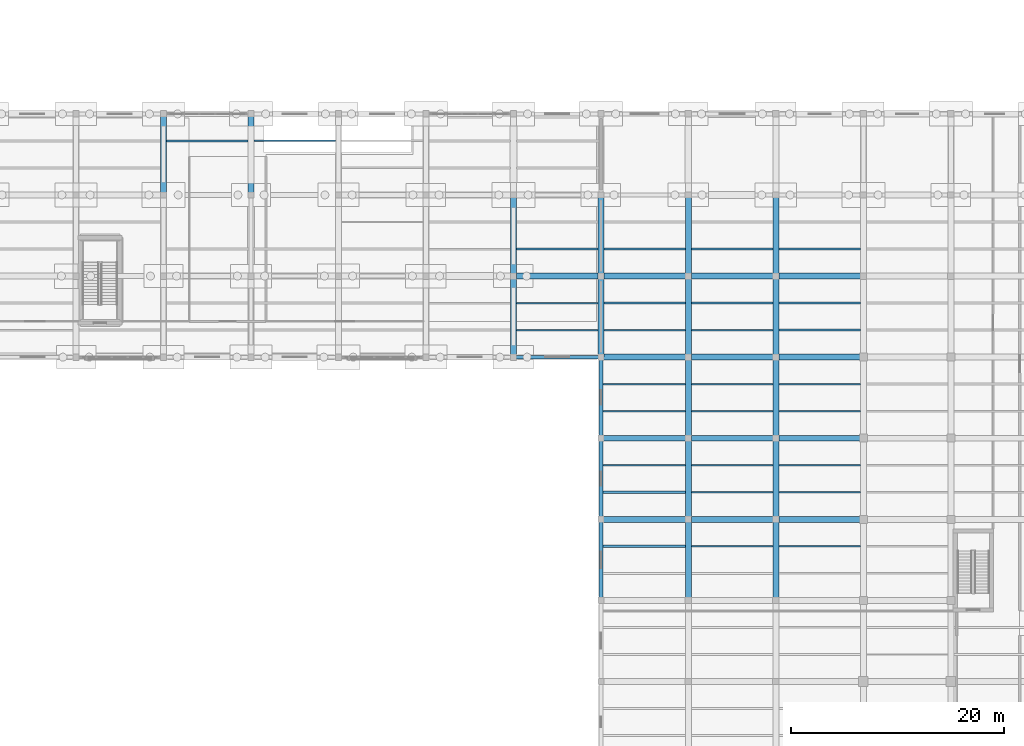
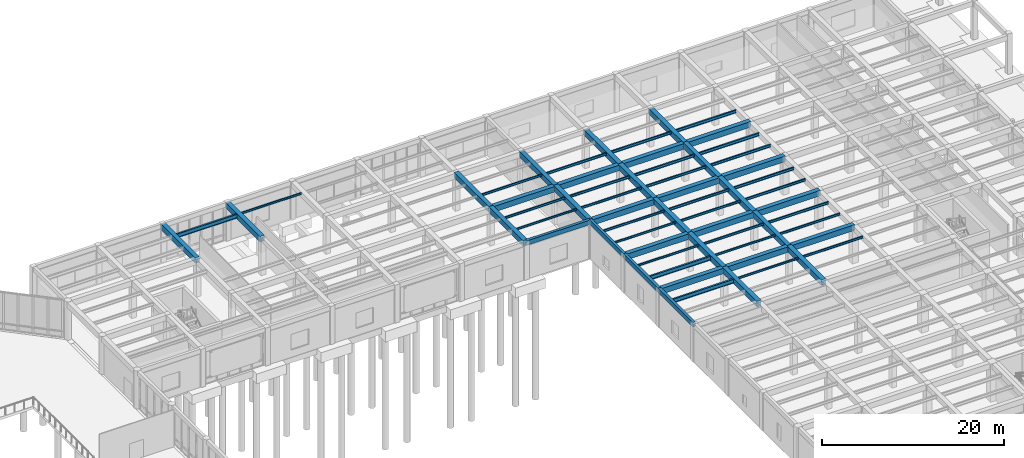
# One storey, part 28 of 64: 62 beams.
"""IFC4 building model written with IfcOpenShell, lengths in metres."""

from ifc_helpers import new_model, si_unit, direction, frame, origin, origin_2d, place, context, subcontext, project, spatial, rectangle, i_section, extrude, material, material_profile, profile_set, type_object, element, save


model = new_model("IFC4")

# Units and contexts
model_context = context("Model", 3, precision=1e-05, world=origin(), true_north=direction((0.0, 1.0)))
body_context = subcontext(model_context, "Body", "Model", "MODEL_VIEW")
ifc_project = project(units=[si_unit("LENGTHUNIT", "METRE"), si_unit("AREAUNIT", "SQUARE_METRE"), si_unit("VOLUMEUNIT", "CUBIC_METRE"), si_unit("PLANEANGLEUNIT", "RADIAN"), si_unit("MASSUNIT", "GRAM", prefix="KILO")], contexts=[model_context])

# Site, building, storey
site_placement = place(None, origin())
site = spatial("IfcSite", under=ifc_project, at=site_placement, CompositionType="ELEMENT")
building_placement = place(site_placement, origin())
building = spatial("IfcBuilding", under=site, at=building_placement, Name="Qandaris Square Conservatory and Botanical Centre", CompositionType="ELEMENT")
storey_placement = place(building_placement, origin())
storey = spatial("IfcBuildingStorey", under=building, at=storey_placement, Name="L00", CompositionType="ELEMENT", Elevation=0.0)

# Beams
ifc_material_1 = material(Name="Steel S355", Category="steel")
ifc_material_profile_1 = material_profile(ifc_material_1, i_section(OverallWidth=0.14990234375, OverallDepth=0.300048828125, WebThickness=0.007080078125, FlangeThickness=0.0107421875, FilletRadius=0.014892578125, at=origin_2d()), Name="IPE 300")
ifc_profile_set_1 = profile_set([ifc_material_profile_1], Name="Steel S355")
beam_type_1 = type_object("IfcBeamType", Name="Composite Lab Joist IPE 300", PredefinedType="JOIST", material=ifc_profile_set_1)
for number, where, z_axis, x_axis, name in (
    (1, (106.675048828125, 97.666748046875, 4.93994140625), (1.0, 0.0, 0.0), (0.0, 1.0, 0.0), "L00 Composite Joist 0760"),
    (2, (106.675048828125, 102.7333984375, 4.93994140625), (1.0, 0.0, 0.0), (0.0, 1.0, 0.0), "L00 Composite Joist 0761"),
):
    element("IfcBeam", number, at=place(storey_placement, frame(where, z_axis=z_axis, x_axis=x_axis)), inside=storey, type_object=beam_type_1, Name=name, PredefinedType="JOIST", context=body_context, shape_type="SweptSolid", body=[
        extrude(i_section(OverallWidth=0.14990234375, OverallDepth=0.300048828125, WebThickness=0.007080078125, FlangeThickness=0.0107421875, FilletRadius=0.014892578125, at=origin_2d()), origin(), (0.0, 0.0, 1.0), 7.64990234375),
    ])
beam_1_placement = place(storey_placement, frame((114.77490234375, 90.066650390625, 4.93994140625), z_axis=(1.0, 0.0, 0.0), x_axis=(0.0, 1.0, 0.0)))
element("IfcBeam", 3, at=beam_1_placement, inside=storey, type_object=beam_type_1, Name="L00 Composite Joist 0784", PredefinedType="JOIST", context=body_context, shape_type="SweptSolid", body=[
    extrude(i_section(OverallWidth=0.14990234375, OverallDepth=0.300048828125, WebThickness=0.007080078125, FlangeThickness=0.0107421875, FilletRadius=0.014892578125, at=origin_2d()), origin(), (0.0, 0.0, 1.0), 7.75),
])
beam_2_placement = place(storey_placement, frame((114.875, 95.13330078125, 4.93994140625), z_axis=(1.0, 0.0, 0.0), x_axis=(0.0, 1.0, 0.0)))
element("IfcBeam", 4, at=beam_2_placement, inside=storey, type_object=beam_type_1, Name="L00 Composite Joist 0785", PredefinedType="JOIST", context=body_context, shape_type="SweptSolid", body=[
    extrude(i_section(OverallWidth=0.14990234375, OverallDepth=0.300048828125, WebThickness=0.007080078125, FlangeThickness=0.0107421875, FilletRadius=0.014892578125, at=origin_2d()), origin(), (0.0, 0.0, 1.0), 7.64990234375),
])
for number, where, z_axis, x_axis, name in (
    (5, (123.074951171875, 82.466796875, 4.93994140625), (1.0, 0.0, 0.0), (0.0, 1.0, 0.0), "L00 Composite Joist 0806"),
    (6, (123.074951171875, 87.533203125, 4.93994140625), (1.0, 0.0, 0.0), (0.0, 1.0, 0.0), "L00 Composite Joist 0807"),
    (7, (131.27490234375, 74.86669921875, 4.93994140625), (1.0, 0.0, 0.0), (0.0, 1.0, 0.0), "L00 Composite Joist 0828"),
    (8, (131.27490234375, 79.933349609375, 4.93994140625), (1.0, 0.0, 0.0), (0.0, 1.0, 0.0), "L00 Composite Joist 0829"),
):
    element("IfcBeam", number, at=place(storey_placement, frame(where, z_axis=z_axis, x_axis=x_axis)), inside=storey, type_object=beam_type_1, Name=name, PredefinedType="JOIST", context=body_context, shape_type="SweptSolid", body=[
        extrude(i_section(OverallWidth=0.14990234375, OverallDepth=0.300048828125, WebThickness=0.007080078125, FlangeThickness=0.0107421875, FilletRadius=0.014892578125, at=origin_2d()), origin(), (0.0, 0.0, 1.0), 7.650146484375),
    ])
ifc_material_profile_2 = material_profile(ifc_material_1, i_section(OverallWidth=0.159912109375, OverallDepth=0.330078125, WebThickness=0.007568359375, FlangeThickness=0.011474609375, FilletRadius=0.01806640625, at=origin_2d()), Name="IPE 330")
ifc_profile_set_2 = profile_set([ifc_material_profile_2], Name="Steel S355")
beam_type_2 = type_object("IfcBeamType", Name="Composite Lab Joist IPE 330", PredefinedType="JOIST", material=ifc_profile_set_2)
for number, where, z_axis, x_axis, name in (
    (9, (114.875, 97.666748046875, 4.925048828125), (1.0, 0.0, 0.0), (0.0, 1.0, 0.0), "L00 Composite Joist 0786"),
    (10, (114.875, 102.7333984375, 4.925048828125), (1.0, 0.0, 0.0), (0.0, 1.0, 0.0), "L00 Composite Joist 0787"),
):
    element("IfcBeam", number, at=place(storey_placement, frame(where, z_axis=z_axis, x_axis=x_axis)), inside=storey, type_object=beam_type_2, Name=name, PredefinedType="JOIST", context=body_context, shape_type="SweptSolid", body=[
        extrude(i_section(OverallWidth=0.159912109375, OverallDepth=0.330078125, WebThickness=0.007568359375, FlangeThickness=0.011474609375, FilletRadius=0.01806640625, at=origin_2d()), origin(), (0.0, 0.0, 1.0), 7.64990234375),
    ])
for number, where, z_axis, x_axis, name in (
    (11, (123.074951171875, 90.066650390625, 4.925048828125), (1.0, 0.0, 0.0), (0.0, 1.0, 0.0), "L00 Composite Joist 0808"),
    (12, (123.074951171875, 95.13330078125, 4.925048828125), (1.0, 0.0, 0.0), (0.0, 1.0, 0.0), "L00 Composite Joist 0809"),
    (13, (131.27490234375, 82.466796875, 4.925048828125), (1.0, 0.0, 0.0), (0.0, 1.0, 0.0), "L00 Composite Joist 0830"),
    (14, (131.27490234375, 87.533203125, 4.925048828125), (1.0, 0.0, 0.0), (0.0, 1.0, 0.0), "L00 Composite Joist 0831"),
):
    element("IfcBeam", number, at=place(storey_placement, frame(where, z_axis=z_axis, x_axis=x_axis)), inside=storey, type_object=beam_type_2, Name=name, PredefinedType="JOIST", context=body_context, shape_type="SweptSolid", body=[
        extrude(i_section(OverallWidth=0.159912109375, OverallDepth=0.330078125, WebThickness=0.007568359375, FlangeThickness=0.011474609375, FilletRadius=0.01806640625, at=origin_2d()), origin(), (0.0, 0.0, 1.0), 7.650146484375),
    ])
ifc_material_profile_3 = material_profile(ifc_material_1, i_section(OverallWidth=0.169921875, OverallDepth=0.360107421875, WebThickness=0.008056640625, FlangeThickness=0.0126953125, FilletRadius=0.01806640625, at=origin_2d()), Name="IPE 360")
ifc_profile_set_3 = profile_set([ifc_material_profile_3], Name="Steel S355")
beam_type_3 = type_object("IfcBeamType", Name="Composite Lab Joist IPE 360", PredefinedType="JOIST", material=ifc_profile_set_3)
for number, where, z_axis, x_axis, name in (
    (15, (123.074951171875, 97.666748046875, 4.909912109375), (1.0, 0.0, 0.0), (0.0, 1.0, 0.0), "L00 Composite Joist 0810"),
    (16, (123.074951171875, 102.7333984375, 4.909912109375), (1.0, 0.0, 0.0), (0.0, 1.0, 0.0), "L00 Composite Joist 0811"),
    (17, (131.27490234375, 90.066650390625, 4.909912109375), (1.0, 0.0, 0.0), (0.0, 1.0, 0.0), "L00 Composite Joist 0832"),
    (18, (131.27490234375, 95.13330078125, 4.909912109375), (1.0, 0.0, 0.0), (0.0, 1.0, 0.0), "L00 Composite Joist 0833"),
):
    element("IfcBeam", number, at=place(storey_placement, frame(where, z_axis=z_axis, x_axis=x_axis)), inside=storey, type_object=beam_type_3, Name=name, PredefinedType="JOIST", context=body_context, shape_type="SweptSolid", body=[
        extrude(i_section(OverallWidth=0.169921875, OverallDepth=0.360107421875, WebThickness=0.008056640625, FlangeThickness=0.0126953125, FilletRadius=0.01806640625, at=origin_2d()), origin(), (0.0, 0.0, 1.0), 7.650146484375),
    ])
ifc_material_profile_4 = material_profile(ifc_material_1, i_section(OverallWidth=0.179931640625, OverallDepth=0.39990234375, WebThickness=0.008544921875, FlangeThickness=0.013427734375, FilletRadius=0.02099609375, at=origin_2d()), Name="IPE 400")
ifc_profile_set_4 = profile_set([ifc_material_profile_4], Name="Steel S355")
beam_type_4 = type_object("IfcBeamType", Name="Composite Plinth Joist IPE 400", PredefinedType="JOIST", material=ifc_profile_set_4)
for number, where, z_axis, x_axis, name in (
    (19, (131.27490234375, 97.666748046875, 4.889892578125), (1.0, 0.0, 0.0), (0.0, 1.0, 0.0), "L00 Composite Joist 0834"),
    (20, (131.27490234375, 102.7333984375, 4.889892578125), (1.0, 0.0, 0.0), (0.0, 1.0, 0.0), "L00 Composite Joist 0835"),
):
    element("IfcBeam", number, at=place(storey_placement, frame(where, z_axis=z_axis, x_axis=x_axis)), inside=storey, type_object=beam_type_4, Name=name, PredefinedType="JOIST", context=body_context, shape_type="SweptSolid", body=[
        extrude(i_section(OverallWidth=0.179931640625, OverallDepth=0.39990234375, WebThickness=0.008544921875, FlangeThickness=0.013427734375, FilletRadius=0.02099609375, at=origin_2d()), origin(), (0.0, 0.0, 1.0), 7.650146484375),
    ])
ifc_material_profile_5 = material_profile(ifc_material_1, i_section(OverallWidth=0.2099609375, OverallDepth=0.550048828125, WebThickness=0.010986328125, FlangeThickness=0.01708984375, FilletRadius=0.02392578125, at=origin_2d()), Name="IPE 550")
ifc_profile_set_5 = profile_set([ifc_material_profile_5], Name="Steel S355")
beam_type_5 = type_object("IfcBeamType", Name="Long-Span Foyer Joist IPE 550", PredefinedType="JOIST", material=ifc_profile_set_5)
beam_3_placement = place(storey_placement, frame((73.875, 112.86669921875, 4.81494140625), z_axis=(1.0, 0.0, 0.0), x_axis=(0.0, 1.0, 0.0)))
element("IfcBeam", 21, at=beam_3_placement, inside=storey, type_object=beam_type_5, Name="L00 Composite Joist 0730", PredefinedType="JOIST", context=body_context, shape_type="SweptSolid", body=[
    extrude(i_section(OverallWidth=0.2099609375, OverallDepth=0.550048828125, WebThickness=0.010986328125, FlangeThickness=0.01708984375, FilletRadius=0.02392578125, at=origin_2d()), origin(), (0.0, 0.0, 1.0), 7.64990234375),
])
for number, where, z_axis, x_axis, name in (
    (22, (114.77490234375, 74.86669921875, 4.81494140625), (1.0, 0.0, 0.0), (0.0, 1.0, 0.0), "L00 Composite Joist 0780"),
    (23, (114.77490234375, 79.933349609375, 4.81494140625), (1.0, 0.0, 0.0), (0.0, 1.0, 0.0), "L00 Composite Joist 0781"),
):
    element("IfcBeam", number, at=place(storey_placement, frame(where, z_axis=z_axis, x_axis=x_axis)), inside=storey, type_object=beam_type_5, Name=name, PredefinedType="JOIST", context=body_context, shape_type="SweptSolid", body=[
        extrude(i_section(OverallWidth=0.2099609375, OverallDepth=0.550048828125, WebThickness=0.010986328125, FlangeThickness=0.01708984375, FilletRadius=0.02392578125, at=origin_2d()), origin(), (0.0, 0.0, 1.0), 7.75),
    ])
ifc_material_2 = material(Name="Concrete C50/60", Category="concrete")
ifc_material_profile_6 = material_profile(ifc_material_2, rectangle(XDim=0.35009765625, YDim=0.60009765625, at=origin_2d()), Name="RC-SP 350x600")
ifc_profile_set_6 = profile_set([ifc_material_profile_6], Name="Concrete C50/60")
beam_type_6 = type_object("IfcBeamType", Name="RC Edge Spandrel Beam 350x600", PredefinedType="SPANDREL", material=ifc_profile_set_6)
beam_4_placement = place(storey_placement, frame((106.39990234375, 92.60009765625, 4.800048828125), z_axis=(1.0, 0.0, 0.0), x_axis=(0.0, 1.0, 0.0)))
element("IfcBeam", 24, at=beam_4_placement, inside=storey, type_object=beam_type_6, Name="L00 Frame Beam 0449", PredefinedType="SPANDREL", context=body_context, shape_type="SweptSolid", body=[
    extrude(rectangle(XDim=0.35009765625, YDim=0.60009765625, at=origin_2d()), origin(), (0.0, 0.0, 1.0), 8.2001953125),
])
beam_5_placement = place(storey_placement, frame((114.60009765625, 69.800048828125, 4.800048828125), z_axis=(0.0, 1.0, 0.0), x_axis=(-1.0, 0.0, 0.0)))
element("IfcBeam", 25, at=beam_5_placement, inside=storey, type_object=beam_type_6, Name="L00 Frame Beam 0597", PredefinedType="SPANDREL", context=body_context, shape_type="SweptSolid", body=[
    extrude(rectangle(XDim=0.35009765625, YDim=0.60009765625, at=origin_2d()), origin(), (0.0, 0.0, 1.0), 7.599853515625),
])
for number, where, z_axis, x_axis, name in (
    (26, (114.60009765625, 77.39990234375, 4.800048828125), (0.0, 1.0, 0.0), (-1.0, 0.0, 0.0), "L00 Frame Beam 0598"),
    (27, (114.60009765625, 85.0, 4.800048828125), (0.0, 1.0, 0.0), (-1.0, 0.0, 0.0), "L00 Frame Beam 0599"),
):
    element("IfcBeam", number, at=place(storey_placement, frame(where, z_axis=z_axis, x_axis=x_axis)), inside=storey, type_object=beam_type_6, Name=name, PredefinedType="SPANDREL", context=body_context, shape_type="SweptSolid", body=[
        extrude(rectangle(XDim=0.35009765625, YDim=0.60009765625, at=origin_2d()), origin(), (0.0, 0.0, 1.0), 7.60009765625),
    ])
ifc_material_profile_7 = material_profile(ifc_material_2, rectangle(XDim=0.550048828125, YDim=0.75, at=origin_2d()), Name="RC-BM 550x750")
ifc_profile_set_7 = profile_set([ifc_material_profile_7], Name="Concrete C50/60")
beam_type_7 = type_object("IfcBeamType", Name="RC Plinth Girder 550x750", PredefinedType="BEAM", material=ifc_profile_set_7)
for number, where, z_axis, x_axis, name in (
    (28, (114.60009765625, 77.39990234375, 4.72509765625), (1.0, 0.0, 0.0), (0.0, 1.0, 0.0), "L00 Frame Beam 0427"),
    (29, (122.800048828125, 77.39990234375, 4.72509765625), (1.0, 0.0, 0.0), (0.0, 1.0, 0.0), "L00 Frame Beam 0428"),
    (30, (131.0, 77.39990234375, 4.72509765625), (1.0, 0.0, 0.0), (0.0, 1.0, 0.0), "L00 Frame Beam 0429"),
    (31, (114.60009765625, 85.0, 4.72509765625), (1.0, 0.0, 0.0), (0.0, 1.0, 0.0), "L00 Frame Beam 0435"),
    (32, (122.800048828125, 85.0, 4.72509765625), (1.0, 0.0, 0.0), (0.0, 1.0, 0.0), "L00 Frame Beam 0436"),
    (33, (131.0, 85.0, 4.72509765625), (1.0, 0.0, 0.0), (0.0, 1.0, 0.0), "L00 Frame Beam 0437"),
    (34, (114.60009765625, 92.60009765625, 4.72509765625), (1.0, 0.0, 0.0), (0.0, 1.0, 0.0), "L00 Frame Beam 0450"),
    (35, (122.800048828125, 92.60009765625, 4.72509765625), (1.0, 0.0, 0.0), (0.0, 1.0, 0.0), "L00 Frame Beam 0451"),
    (36, (131.0, 92.60009765625, 4.72509765625), (1.0, 0.0, 0.0), (0.0, 1.0, 0.0), "L00 Frame Beam 0452"),
):
    element("IfcBeam", number, at=place(storey_placement, frame(where, z_axis=z_axis, x_axis=x_axis)), inside=storey, type_object=beam_type_7, Name=name, PredefinedType="BEAM", context=body_context, shape_type="SweptSolid", body=[
        extrude(rectangle(XDim=0.550048828125, YDim=0.75, at=origin_2d()), origin(), (0.0, 0.0, 1.0), 8.199951171875),
    ])
beam_6_placement = place(storey_placement, frame((106.39990234375, 100.199951171875, 4.72509765625), z_axis=(1.0, 0.0, 0.0), x_axis=(0.0, 1.0, 0.0)))
element("IfcBeam", 37, at=beam_6_placement, inside=storey, type_object=beam_type_7, Name="L00 Frame Beam 0463", PredefinedType="BEAM", context=body_context, shape_type="SweptSolid", body=[
    extrude(rectangle(XDim=0.550048828125, YDim=0.75, at=origin_2d()), origin(), (0.0, 0.0, 1.0), 8.2001953125),
])
for number, where, z_axis, x_axis, name in (
    (38, (114.60009765625, 100.199951171875, 4.72509765625), (1.0, 0.0, 0.0), (0.0, 1.0, 0.0), "L00 Frame Beam 0464"),
    (39, (122.800048828125, 100.199951171875, 4.72509765625), (1.0, 0.0, 0.0), (0.0, 1.0, 0.0), "L00 Frame Beam 0465"),
    (40, (131.0, 100.199951171875, 4.72509765625), (1.0, 0.0, 0.0), (0.0, 1.0, 0.0), "L00 Frame Beam 0466"),
):
    element("IfcBeam", number, at=place(storey_placement, frame(where, z_axis=z_axis, x_axis=x_axis)), inside=storey, type_object=beam_type_7, Name=name, PredefinedType="BEAM", context=body_context, shape_type="SweptSolid", body=[
        extrude(rectangle(XDim=0.550048828125, YDim=0.75, at=origin_2d()), origin(), (0.0, 0.0, 1.0), 8.199951171875),
    ])
for number, where, z_axis, x_axis, name in (
    (41, (73.60009765625, 107.800048828125, 4.72509765625), (0.0, 1.0, 0.0), (-1.0, 0.0, 0.0), "L00 Frame Beam 0566"),
    (42, (81.800048828125, 107.800048828125, 4.72509765625), (0.0, 1.0, 0.0), (-1.0, 0.0, 0.0), "L00 Frame Beam 0570"),
    (43, (106.39990234375, 92.60009765625, 4.72509765625), (0.0, 1.0, 0.0), (-1.0, 0.0, 0.0), "L00 Frame Beam 0586"),
):
    element("IfcBeam", number, at=place(storey_placement, frame(where, z_axis=z_axis, x_axis=x_axis)), inside=storey, type_object=beam_type_7, Name=name, PredefinedType="BEAM", context=body_context, shape_type="SweptSolid", body=[
        extrude(rectangle(XDim=0.550048828125, YDim=0.75, at=origin_2d()), origin(), (0.0, 0.0, 1.0), 7.599853515625),
    ])
beam_7_placement = place(storey_placement, frame((106.39990234375, 100.199951171875, 4.72509765625), z_axis=(0.0, 1.0, 0.0), x_axis=(-1.0, 0.0, 0.0)))
element("IfcBeam", 44, at=beam_7_placement, inside=storey, type_object=beam_type_7, Name="L00 Frame Beam 0587", PredefinedType="BEAM", context=body_context, shape_type="SweptSolid", body=[
    extrude(rectangle(XDim=0.550048828125, YDim=0.75, at=origin_2d()), origin(), (0.0, 0.0, 1.0), 7.60009765625),
])
beam_8_placement = place(storey_placement, frame((114.60009765625, 92.60009765625, 4.72509765625), z_axis=(0.0, 1.0, 0.0), x_axis=(-1.0, 0.0, 0.0)))
element("IfcBeam", 45, at=beam_8_placement, inside=storey, type_object=beam_type_7, Name="L00 Frame Beam 0600", PredefinedType="BEAM", context=body_context, shape_type="SweptSolid", body=[
    extrude(rectangle(XDim=0.550048828125, YDim=0.75, at=origin_2d()), origin(), (0.0, 0.0, 1.0), 7.599853515625),
])
beam_9_placement = place(storey_placement, frame((114.60009765625, 100.199951171875, 4.72509765625), z_axis=(0.0, 1.0, 0.0), x_axis=(-1.0, 0.0, 0.0)))
element("IfcBeam", 46, at=beam_9_placement, inside=storey, type_object=beam_type_7, Name="L00 Frame Beam 0601", PredefinedType="BEAM", context=body_context, shape_type="SweptSolid", body=[
    extrude(rectangle(XDim=0.550048828125, YDim=0.75, at=origin_2d()), origin(), (0.0, 0.0, 1.0), 7.60009765625),
])
beam_10_placement = place(storey_placement, frame((122.800048828125, 69.800048828125, 4.72509765625), z_axis=(0.0, 1.0, 0.0), x_axis=(-1.0, 0.0, 0.0)))
element("IfcBeam", 47, at=beam_10_placement, inside=storey, type_object=beam_type_7, Name="L00 Frame Beam 0611", PredefinedType="BEAM", context=body_context, shape_type="SweptSolid", body=[
    extrude(rectangle(XDim=0.550048828125, YDim=0.75, at=origin_2d()), origin(), (0.0, 0.0, 1.0), 7.599853515625),
])
for number, where, z_axis, x_axis, name in (
    (48, (122.800048828125, 77.39990234375, 4.72509765625), (0.0, 1.0, 0.0), (-1.0, 0.0, 0.0), "L00 Frame Beam 0612"),
    (49, (122.800048828125, 85.0, 4.72509765625), (0.0, 1.0, 0.0), (-1.0, 0.0, 0.0), "L00 Frame Beam 0613"),
):
    element("IfcBeam", number, at=place(storey_placement, frame(where, z_axis=z_axis, x_axis=x_axis)), inside=storey, type_object=beam_type_7, Name=name, PredefinedType="BEAM", context=body_context, shape_type="SweptSolid", body=[
        extrude(rectangle(XDim=0.550048828125, YDim=0.75, at=origin_2d()), origin(), (0.0, 0.0, 1.0), 7.60009765625),
    ])
beam_11_placement = place(storey_placement, frame((122.800048828125, 92.60009765625, 4.72509765625), z_axis=(0.0, 1.0, 0.0), x_axis=(-1.0, 0.0, 0.0)))
element("IfcBeam", 50, at=beam_11_placement, inside=storey, type_object=beam_type_7, Name="L00 Frame Beam 0614", PredefinedType="BEAM", context=body_context, shape_type="SweptSolid", body=[
    extrude(rectangle(XDim=0.550048828125, YDim=0.75, at=origin_2d()), origin(), (0.0, 0.0, 1.0), 7.599853515625),
])
beam_12_placement = place(storey_placement, frame((122.800048828125, 100.199951171875, 4.72509765625), z_axis=(0.0, 1.0, 0.0), x_axis=(-1.0, 0.0, 0.0)))
element("IfcBeam", 51, at=beam_12_placement, inside=storey, type_object=beam_type_7, Name="L00 Frame Beam 0615", PredefinedType="BEAM", context=body_context, shape_type="SweptSolid", body=[
    extrude(rectangle(XDim=0.550048828125, YDim=0.75, at=origin_2d()), origin(), (0.0, 0.0, 1.0), 7.60009765625),
])
beam_13_placement = place(storey_placement, frame((131.0, 69.800048828125, 4.72509765625), z_axis=(0.0, 1.0, 0.0), x_axis=(-1.0, 0.0, 0.0)))
element("IfcBeam", 52, at=beam_13_placement, inside=storey, type_object=beam_type_7, Name="L00 Frame Beam 0625", PredefinedType="BEAM", context=body_context, shape_type="SweptSolid", body=[
    extrude(rectangle(XDim=0.550048828125, YDim=0.75, at=origin_2d()), origin(), (0.0, 0.0, 1.0), 7.599853515625),
])
for number, where, z_axis, x_axis, name in (
    (53, (131.0, 77.39990234375, 4.72509765625), (0.0, 1.0, 0.0), (-1.0, 0.0, 0.0), "L00 Frame Beam 0626"),
    (54, (131.0, 85.0, 4.72509765625), (0.0, 1.0, 0.0), (-1.0, 0.0, 0.0), "L00 Frame Beam 0627"),
):
    element("IfcBeam", number, at=place(storey_placement, frame(where, z_axis=z_axis, x_axis=x_axis)), inside=storey, type_object=beam_type_7, Name=name, PredefinedType="BEAM", context=body_context, shape_type="SweptSolid", body=[
        extrude(rectangle(XDim=0.550048828125, YDim=0.75, at=origin_2d()), origin(), (0.0, 0.0, 1.0), 7.60009765625),
    ])
beam_14_placement = place(storey_placement, frame((131.0, 92.60009765625, 4.72509765625), z_axis=(0.0, 1.0, 0.0), x_axis=(-1.0, 0.0, 0.0)))
element("IfcBeam", 55, at=beam_14_placement, inside=storey, type_object=beam_type_7, Name="L00 Frame Beam 0628", PredefinedType="BEAM", context=body_context, shape_type="SweptSolid", body=[
    extrude(rectangle(XDim=0.550048828125, YDim=0.75, at=origin_2d()), origin(), (0.0, 0.0, 1.0), 7.599853515625),
])
beam_15_placement = place(storey_placement, frame((131.0, 100.199951171875, 4.72509765625), z_axis=(0.0, 1.0, 0.0), x_axis=(-1.0, 0.0, 0.0)))
element("IfcBeam", 56, at=beam_15_placement, inside=storey, type_object=beam_type_7, Name="L00 Frame Beam 0629", PredefinedType="BEAM", context=body_context, shape_type="SweptSolid", body=[
    extrude(rectangle(XDim=0.550048828125, YDim=0.75, at=origin_2d()), origin(), (0.0, 0.0, 1.0), 7.60009765625),
])
ifc_material_profile_8 = material_profile(ifc_material_1, i_section(OverallWidth=0.135009765625, OverallDepth=0.27001953125, WebThickness=0.006591796875, FlangeThickness=0.01025390625, FilletRadius=0.014892578125, at=origin_2d()), Name="IPE 270")
ifc_profile_set_8 = profile_set([ifc_material_profile_8], Name="Steel S355")
beam_type_8 = type_object("IfcBeamType", Name="Steel Floor Joist IPE 270", PredefinedType="JOIST", material=ifc_profile_set_8)
beam_16_placement = place(storey_placement, frame((82.074951171875, 112.86669921875, 4.955078125), z_axis=(1.0, 0.0, 0.0), x_axis=(0.0, 1.0, 0.0)))
element("IfcBeam", 57, at=beam_16_placement, inside=storey, type_object=beam_type_8, Name="L00 Composite Joist 0734", PredefinedType="JOIST", context=body_context, shape_type="SweptSolid", body=[
    extrude(i_section(OverallWidth=0.135009765625, OverallDepth=0.27001953125, WebThickness=0.006591796875, FlangeThickness=0.01025390625, FilletRadius=0.014892578125, at=origin_2d()), origin(), (0.0, 0.0, 1.0), 7.650146484375),
])
beam_17_placement = place(storey_placement, frame((106.675048828125, 95.13330078125, 4.955078125), z_axis=(1.0, 0.0, 0.0), x_axis=(0.0, 1.0, 0.0)))
element("IfcBeam", 58, at=beam_17_placement, inside=storey, type_object=beam_type_8, Name="L00 Composite Joist 0759", PredefinedType="JOIST", context=body_context, shape_type="SweptSolid", body=[
    extrude(i_section(OverallWidth=0.135009765625, OverallDepth=0.27001953125, WebThickness=0.006591796875, FlangeThickness=0.01025390625, FilletRadius=0.014892578125, at=origin_2d()), origin(), (0.0, 0.0, 1.0), 7.64990234375),
])
for number, where, z_axis, x_axis, name in (
    (59, (114.77490234375, 82.466796875, 4.955078125), (1.0, 0.0, 0.0), (0.0, 1.0, 0.0), "L00 Composite Joist 0782"),
    (60, (114.77490234375, 87.533203125, 4.955078125), (1.0, 0.0, 0.0), (0.0, 1.0, 0.0), "L00 Composite Joist 0783"),
):
    element("IfcBeam", number, at=place(storey_placement, frame(where, z_axis=z_axis, x_axis=x_axis)), inside=storey, type_object=beam_type_8, Name=name, PredefinedType="JOIST", context=body_context, shape_type="SweptSolid", body=[
        extrude(i_section(OverallWidth=0.135009765625, OverallDepth=0.27001953125, WebThickness=0.006591796875, FlangeThickness=0.01025390625, FilletRadius=0.014892578125, at=origin_2d()), origin(), (0.0, 0.0, 1.0), 7.75),
    ])
for number, where, z_axis, x_axis, name in (
    (61, (123.074951171875, 74.86669921875, 4.955078125), (1.0, 0.0, 0.0), (0.0, 1.0, 0.0), "L00 Composite Joist 0804"),
    (62, (123.074951171875, 79.933349609375, 4.955078125), (1.0, 0.0, 0.0), (0.0, 1.0, 0.0), "L00 Composite Joist 0805"),
):
    element("IfcBeam", number, at=place(storey_placement, frame(where, z_axis=z_axis, x_axis=x_axis)), inside=storey, type_object=beam_type_8, Name=name, PredefinedType="JOIST", context=body_context, shape_type="SweptSolid", body=[
        extrude(i_section(OverallWidth=0.135009765625, OverallDepth=0.27001953125, WebThickness=0.006591796875, FlangeThickness=0.01025390625, FilletRadius=0.014892578125, at=origin_2d()), origin(), (0.0, 0.0, 1.0), 7.650146484375),
    ])

save(model, "model.ifc")
